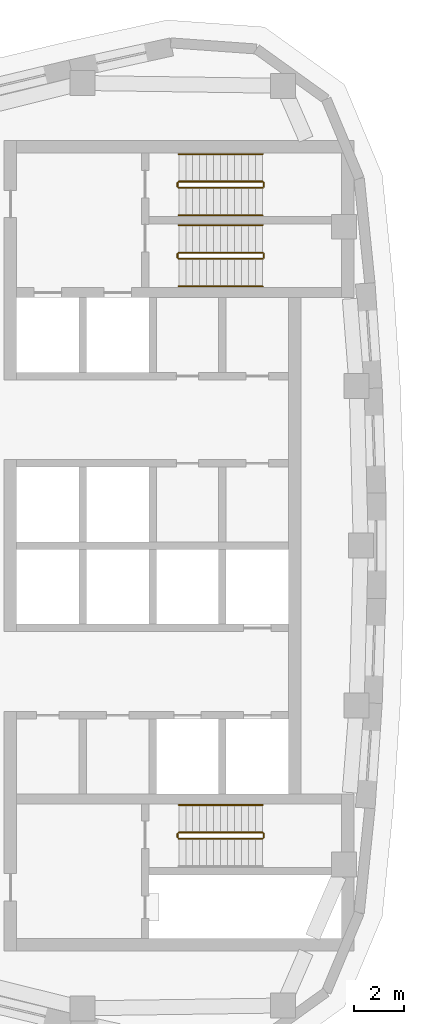
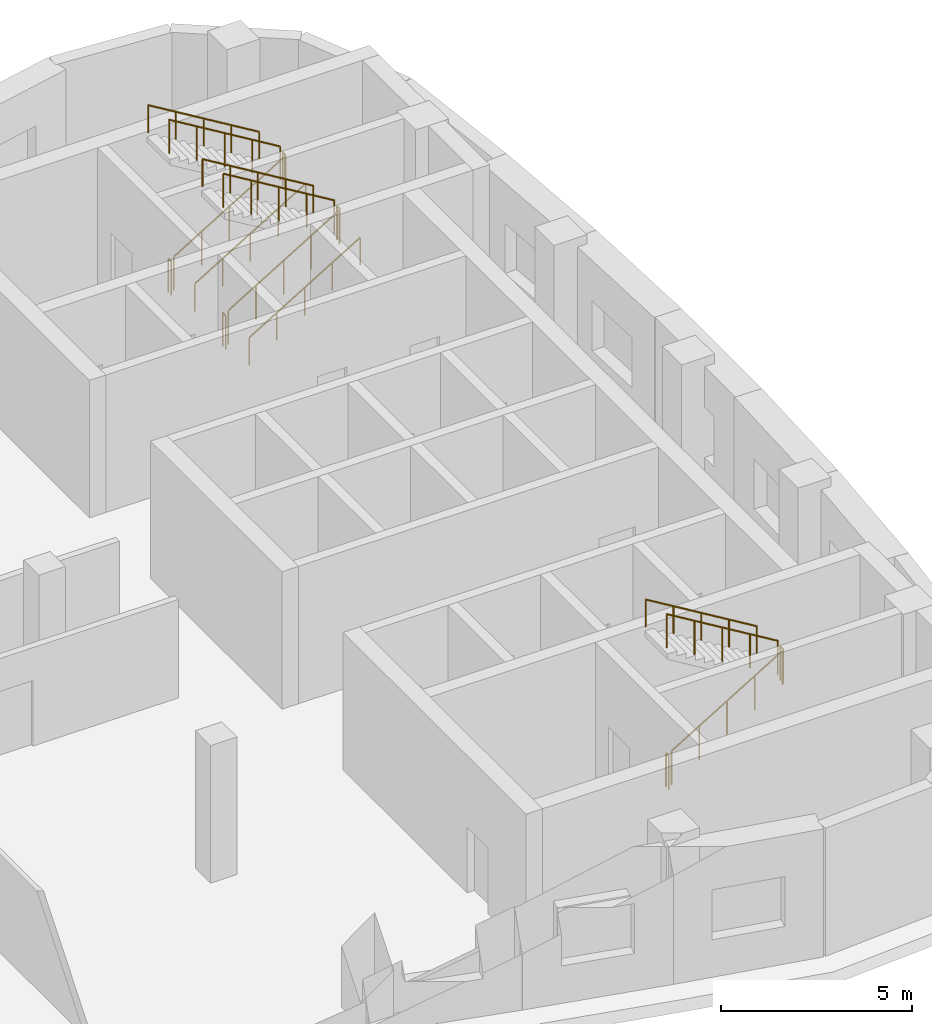
# One storey, part 6 of 7: 17 railings.
"""IFC4 building model written with IfcOpenShell, lengths in metres."""

from ifc_helpers import new_model, si_unit, direction, frame, origin, origin_2d, place, context, subcontext, project, spatial, circle, extrude, material, type_object, element, save


model = new_model("IFC4")

# Units and contexts
model_context = context("Model", 3, precision=1e-05, world=origin(), true_north=direction((0.0, 1.0)))
body_context = subcontext(model_context, "Body", "Model", "MODEL_VIEW")
ifc_project = project(units=[si_unit("LENGTHUNIT", "METRE"), si_unit("AREAUNIT", "SQUARE_METRE"), si_unit("VOLUMEUNIT", "CUBIC_METRE"), si_unit("PLANEANGLEUNIT", "RADIAN"), si_unit("MASSUNIT", "GRAM", prefix="KILO")], contexts=[model_context])

# Site, building, storey
site_placement = place(None, origin())
site = spatial("IfcSite", under=ifc_project, at=site_placement, CompositionType="ELEMENT")
building_placement = place(site_placement, origin())
building = spatial("IfcBuilding", under=site, at=building_placement, Name="Ostrand Prow Hotel Tower", CompositionType="ELEMENT")
storey_placement = place(building_placement, frame((0.0, 0.0, 323.0)))
storey = spatial("IfcBuildingStorey", under=building, at=storey_placement, Name="C4", CompositionType="ELEMENT", Elevation=323.0)

# Railings
ifc_material_1 = material(Name="Painted steel", Category="steel")
railing_type_1 = type_object("IfcRailingType", Name="Stair guard 1100", PredefinedType="GUARDRAIL", material=ifc_material_1)
railing_1_placement = place(storey_placement, frame((57.199951171875, 11.5, 0.169189453125)))
element("IfcRailing", 1, at=railing_1_placement, inside=storey, type_object=railing_type_1, Name="C4 ST1C stair guard 1", PredefinedType="GUARDRAIL", context=body_context, shape_type="SweptSolid", body=[
    extrude(circle(Radius=0.02392578125, at=origin_2d()), frame((0.0, 0.0, 1.076171875), z_axis=(0.855836976705, 0.0, 0.517245656632), x_axis=(0.0, 1.0, 0.0)), (0.0, 0.0, 1.0), 3.926025390625),
    extrude(circle(Radius=0.02099609375, at=origin_2d()), origin(), (0.0, 0.0, 1.0), 1.052001953125),
    extrude(circle(Radius=0.02099609375, at=origin_2d()), frame((0.840087890625, 0.0, 0.5078125)), (0.0, 0.0, 1.0), 1.052001953125),
    extrude(circle(Radius=0.02099609375, at=origin_2d()), frame((1.68017578125, 0.0, 1.015380859375)), (0.0, 0.0, 1.0), 1.052001953125),
    extrude(circle(Radius=0.02099609375, at=origin_2d()), frame((2.52001953125, 0.0, 1.52294921875)), (0.0, 0.0, 1.0), 1.052001953125),
    extrude(circle(Radius=0.02099609375, at=origin_2d()), frame((3.360107421875, 0.0, 2.03076171875)), (0.0, 0.0, 1.0), 1.052001953125),
])
railing_2_placement = place(storey_placement, frame((60.610107421875, 11.550048828125, 2.199951171875)))
element("IfcRailing", 2, at=railing_2_placement, inside=storey, type_object=railing_type_1, Name="C4 ST1C stair guard 2", PredefinedType="GUARDRAIL", context=body_context, shape_type="SweptSolid", body=[
    extrude(circle(Radius=0.02392578125, at=origin_2d()), frame((0.0, 0.0, 1.076171875), z_axis=(0.0, 1.0, 0.0), x_axis=(-1.0, 0.0, 0.0)), (0.0, 0.0, 1.0), 0.14990234375),
    extrude(circle(Radius=0.02099609375, at=origin_2d()), origin(), (0.0, 0.0, 1.0), 1.052001953125),
    extrude(circle(Radius=0.02099609375, at=origin_2d()), frame((0.0, 0.14990234375, 0.0)), (0.0, 0.0, 1.0), 1.052001953125),
])
railing_3_placement = place(storey_placement, frame((60.56005859375, 11.75, 2.369140625)))
element("IfcRailing", 3, at=railing_3_placement, inside=storey, type_object=railing_type_1, Name="C4 ST1C stair guard 3", PredefinedType="GUARDRAIL", context=body_context, shape_type="SweptSolid", body=[
    extrude(circle(Radius=0.02392578125, at=origin_2d()), frame((0.0, 0.0, 1.076171875), z_axis=(-0.855836976705, 0.0, 0.517245656632), x_axis=(0.0, -1.0, 0.0)), (0.0, 0.0, 1.0), 3.926025390625),
    extrude(circle(Radius=0.02099609375, at=origin_2d()), origin(), (0.0, 0.0, 1.0), 1.052001953125),
    extrude(circle(Radius=0.02099609375, at=origin_2d()), frame((-0.840087890625, 0.0, 0.5078125)), (0.0, 0.0, 1.0), 1.052001953125),
    extrude(circle(Radius=0.02099609375, at=origin_2d()), frame((-1.68017578125, 0.0, 1.015380859375)), (0.0, 0.0, 1.0), 1.052001953125),
    extrude(circle(Radius=0.02099609375, at=origin_2d()), frame((-2.52001953125, 0.0, 1.52294921875)), (0.0, 0.0, 1.0), 1.052001953125),
    extrude(circle(Radius=0.02099609375, at=origin_2d()), frame((-3.360107421875, 0.0, 2.03076171875)), (0.0, 0.0, 1.0), 1.052001953125),
])
railing_4_placement = place(storey_placement, frame((57.14990234375, 11.550048828125, 0.0)))
element("IfcRailing", 4, at=railing_4_placement, inside=storey, type_object=railing_type_1, Name="C4 ST1C stair guard 4", PredefinedType="GUARDRAIL", context=body_context, shape_type="SweptSolid", body=[
    extrude(circle(Radius=0.02392578125, at=origin_2d()), frame((0.0, 0.0, 1.076171875), z_axis=(0.0, 1.0, 0.0), x_axis=(-1.0, 0.0, 0.0)), (0.0, 0.0, 1.0), 0.14990234375),
    extrude(circle(Radius=0.02099609375, at=origin_2d()), origin(), (0.0, 0.0, 1.0), 1.052001953125),
    extrude(circle(Radius=0.02099609375, at=origin_2d()), frame((0.0, 0.14990234375, 0.0)), (0.0, 0.0, 1.0), 1.052001953125),
])
railing_5_placement = place(storey_placement, frame((57.199951171875, 14.35009765625, 0.169189453125)))
element("IfcRailing", 5, at=railing_5_placement, inside=storey, type_object=railing_type_1, Name="C4 ST3C stair guard 1", PredefinedType="GUARDRAIL", context=body_context, shape_type="SweptSolid", body=[
    extrude(circle(Radius=0.02392578125, at=origin_2d()), frame((0.0, 0.0, 1.076171875), z_axis=(0.855836976705, 0.0, 0.517245656632), x_axis=(0.0, 1.0, 0.0)), (0.0, 0.0, 1.0), 3.926025390625),
    extrude(circle(Radius=0.02099609375, at=origin_2d()), origin(), (0.0, 0.0, 1.0), 1.052001953125),
    extrude(circle(Radius=0.02099609375, at=origin_2d()), frame((0.840087890625, 0.0, 0.5078125)), (0.0, 0.0, 1.0), 1.052001953125),
    extrude(circle(Radius=0.02099609375, at=origin_2d()), frame((1.68017578125, 0.0, 1.015380859375)), (0.0, 0.0, 1.0), 1.052001953125),
    extrude(circle(Radius=0.02099609375, at=origin_2d()), frame((2.52001953125, 0.0, 1.52294921875)), (0.0, 0.0, 1.0), 1.052001953125),
    extrude(circle(Radius=0.02099609375, at=origin_2d()), frame((3.360107421875, 0.0, 2.03076171875)), (0.0, 0.0, 1.0), 1.052001953125),
])
railing_6_placement = place(storey_placement, frame((60.610107421875, 14.39990234375, 2.199951171875)))
element("IfcRailing", 6, at=railing_6_placement, inside=storey, type_object=railing_type_1, Name="C4 ST3C stair guard 2", PredefinedType="GUARDRAIL", context=body_context, shape_type="SweptSolid", body=[
    extrude(circle(Radius=0.02392578125, at=origin_2d()), frame((0.0, 0.0, 1.076171875), z_axis=(0.0, 1.0, 0.0), x_axis=(-1.0, 0.0, 0.0)), (0.0, 0.0, 1.0), 0.150146484375),
    extrude(circle(Radius=0.02099609375, at=origin_2d()), origin(), (0.0, 0.0, 1.0), 1.052001953125),
    extrude(circle(Radius=0.02099609375, at=origin_2d()), frame((0.0, 0.150146484375, 0.0)), (0.0, 0.0, 1.0), 1.052001953125),
])
railing_7_placement = place(storey_placement, frame((60.56005859375, 14.60009765625, 2.369140625)))
element("IfcRailing", 7, at=railing_7_placement, inside=storey, type_object=railing_type_1, Name="C4 ST3C stair guard 3", PredefinedType="GUARDRAIL", context=body_context, shape_type="SweptSolid", body=[
    extrude(circle(Radius=0.02392578125, at=origin_2d()), frame((0.0, 0.0, 1.076171875), z_axis=(-0.855836976705, 0.0, 0.517245656632), x_axis=(0.0, -1.0, 0.0)), (0.0, 0.0, 1.0), 3.926025390625),
    extrude(circle(Radius=0.02099609375, at=origin_2d()), origin(), (0.0, 0.0, 1.0), 1.052001953125),
    extrude(circle(Radius=0.02099609375, at=origin_2d()), frame((-0.840087890625, 0.0, 0.5078125)), (0.0, 0.0, 1.0), 1.052001953125),
    extrude(circle(Radius=0.02099609375, at=origin_2d()), frame((-1.68017578125, 0.0, 1.015380859375)), (0.0, 0.0, 1.0), 1.052001953125),
    extrude(circle(Radius=0.02099609375, at=origin_2d()), frame((-2.52001953125, 0.0, 1.52294921875)), (0.0, 0.0, 1.0), 1.052001953125),
    extrude(circle(Radius=0.02099609375, at=origin_2d()), frame((-3.360107421875, 0.0, 2.03076171875)), (0.0, 0.0, 1.0), 1.052001953125),
])
railing_8_placement = place(storey_placement, frame((57.14990234375, 14.39990234375, 0.0)))
element("IfcRailing", 8, at=railing_8_placement, inside=storey, type_object=railing_type_1, Name="C4 ST3C stair guard 4", PredefinedType="GUARDRAIL", context=body_context, shape_type="SweptSolid", body=[
    extrude(circle(Radius=0.02392578125, at=origin_2d()), frame((0.0, 0.0, 1.076171875), z_axis=(0.0, 1.0, 0.0), x_axis=(-1.0, 0.0, 0.0)), (0.0, 0.0, 1.0), 0.150146484375),
    extrude(circle(Radius=0.02099609375, at=origin_2d()), origin(), (0.0, 0.0, 1.0), 1.052001953125),
    extrude(circle(Radius=0.02099609375, at=origin_2d()), frame((0.0, 0.150146484375, 0.0)), (0.0, 0.0, 1.0), 1.052001953125),
])
railing_9_placement = place(storey_placement, frame((57.199951171875, -11.75, 0.169189453125)))
element("IfcRailing", 9, at=railing_9_placement, inside=storey, type_object=railing_type_1, Name="C4 ST2C stair guard 1", PredefinedType="GUARDRAIL", context=body_context, shape_type="SweptSolid", body=[
    extrude(circle(Radius=0.02392578125, at=origin_2d()), frame((0.0, 0.0, 1.076171875), z_axis=(0.855836976705, 0.0, 0.517245656632), x_axis=(0.0, 1.0, 0.0)), (0.0, 0.0, 1.0), 3.926025390625),
    extrude(circle(Radius=0.02099609375, at=origin_2d()), origin(), (0.0, 0.0, 1.0), 1.052001953125),
    extrude(circle(Radius=0.02099609375, at=origin_2d()), frame((0.840087890625, 0.0, 0.5078125)), (0.0, 0.0, 1.0), 1.052001953125),
    extrude(circle(Radius=0.02099609375, at=origin_2d()), frame((1.68017578125, 0.0, 1.015380859375)), (0.0, 0.0, 1.0), 1.052001953125),
    extrude(circle(Radius=0.02099609375, at=origin_2d()), frame((2.52001953125, 0.0, 1.52294921875)), (0.0, 0.0, 1.0), 1.052001953125),
    extrude(circle(Radius=0.02099609375, at=origin_2d()), frame((3.360107421875, 0.0, 2.03076171875)), (0.0, 0.0, 1.0), 1.052001953125),
])
railing_10_placement = place(storey_placement, frame((60.610107421875, -11.699951171875, 2.199951171875)))
element("IfcRailing", 10, at=railing_10_placement, inside=storey, type_object=railing_type_1, Name="C4 ST2C stair guard 2", PredefinedType="GUARDRAIL", context=body_context, shape_type="SweptSolid", body=[
    extrude(circle(Radius=0.02392578125, at=origin_2d()), frame((0.0, 0.0, 1.076171875), z_axis=(0.0, 1.0, 0.0), x_axis=(-1.0, 0.0, 0.0)), (0.0, 0.0, 1.0), 0.14990234375),
    extrude(circle(Radius=0.02099609375, at=origin_2d()), origin(), (0.0, 0.0, 1.0), 1.052001953125),
    extrude(circle(Radius=0.02099609375, at=origin_2d()), frame((0.0, 0.14990234375, 0.0)), (0.0, 0.0, 1.0), 1.052001953125),
])
railing_11_placement = place(storey_placement, frame((60.56005859375, -11.5, 2.369140625)))
element("IfcRailing", 11, at=railing_11_placement, inside=storey, type_object=railing_type_1, Name="C4 ST2C stair guard 3", PredefinedType="GUARDRAIL", context=body_context, shape_type="SweptSolid", body=[
    extrude(circle(Radius=0.02392578125, at=origin_2d()), frame((0.0, 0.0, 1.076171875), z_axis=(-0.855836976705, 0.0, 0.517245656632), x_axis=(0.0, -1.0, 0.0)), (0.0, 0.0, 1.0), 3.926025390625),
    extrude(circle(Radius=0.02099609375, at=origin_2d()), origin(), (0.0, 0.0, 1.0), 1.052001953125),
    extrude(circle(Radius=0.02099609375, at=origin_2d()), frame((-0.840087890625, 0.0, 0.5078125)), (0.0, 0.0, 1.0), 1.052001953125),
    extrude(circle(Radius=0.02099609375, at=origin_2d()), frame((-1.68017578125, 0.0, 1.015380859375)), (0.0, 0.0, 1.0), 1.052001953125),
    extrude(circle(Radius=0.02099609375, at=origin_2d()), frame((-2.52001953125, 0.0, 1.52294921875)), (0.0, 0.0, 1.0), 1.052001953125),
    extrude(circle(Radius=0.02099609375, at=origin_2d()), frame((-3.360107421875, 0.0, 2.03076171875)), (0.0, 0.0, 1.0), 1.052001953125),
])
railing_12_placement = place(storey_placement, frame((57.14990234375, -11.699951171875, 0.0)))
element("IfcRailing", 12, at=railing_12_placement, inside=storey, type_object=railing_type_1, Name="C4 ST2C stair guard 4", PredefinedType="GUARDRAIL", context=body_context, shape_type="SweptSolid", body=[
    extrude(circle(Radius=0.02392578125, at=origin_2d()), frame((0.0, 0.0, 1.076171875), z_axis=(0.0, 1.0, 0.0), x_axis=(-1.0, 0.0, 0.0)), (0.0, 0.0, 1.0), 0.14990234375),
    extrude(circle(Radius=0.02099609375, at=origin_2d()), origin(), (0.0, 0.0, 1.0), 1.052001953125),
    extrude(circle(Radius=0.02099609375, at=origin_2d()), frame((0.0, 0.14990234375, 0.0)), (0.0, 0.0, 1.0), 1.052001953125),
])
ifc_material_2 = material(Name="Stainless steel", Category="steel")
railing_type_2 = type_object("IfcRailingType", Name="Stair handrail 900", PredefinedType="HANDRAIL", material=ifc_material_2)
railing_13_placement = place(storey_placement, frame((57.199951171875, 10.39990234375, 0.169189453125)))
element("IfcRailing", 13, at=railing_13_placement, inside=storey, type_object=railing_type_2, Name="C4 ST1C stair handrail 1", PredefinedType="HANDRAIL", context=body_context, shape_type="SweptSolid", body=[
    extrude(circle(Radius=0.02392578125, at=origin_2d()), frame((0.0, 0.0, 0.8759765625), z_axis=(0.855836976705, 0.0, 0.517245656632), x_axis=(0.0, 1.0, 0.0)), (0.0, 0.0, 1.0), 3.926025390625),
    extrude(circle(Radius=0.02099609375, at=origin_2d()), origin(), (0.0, 0.0, 1.0), 0.851806640625),
    extrude(circle(Radius=0.02099609375, at=origin_2d()), frame((0.840087890625, 0.0, 0.5078125)), (0.0, 0.0, 1.0), 0.851806640625),
    extrude(circle(Radius=0.02099609375, at=origin_2d()), frame((1.68017578125, 0.0, 1.015380859375)), (0.0, 0.0, 1.0), 0.851806640625),
    extrude(circle(Radius=0.02099609375, at=origin_2d()), frame((2.52001953125, 0.0, 1.52294921875)), (0.0, 0.0, 1.0), 0.851806640625),
    extrude(circle(Radius=0.02099609375, at=origin_2d()), frame((3.360107421875, 0.0, 2.03076171875)), (0.0, 0.0, 1.0), 0.851806640625),
])
railing_14_placement = place(storey_placement, frame((60.56005859375, 12.85009765625, 2.369140625)))
element("IfcRailing", 14, at=railing_14_placement, inside=storey, type_object=railing_type_2, Name="C4 ST1C stair handrail 2", PredefinedType="HANDRAIL", context=body_context, shape_type="SweptSolid", body=[
    extrude(circle(Radius=0.02392578125, at=origin_2d()), frame((0.0, 0.0, 0.8759765625), z_axis=(-0.855836976705, 0.0, 0.517245656632), x_axis=(0.0, -1.0, 0.0)), (0.0, 0.0, 1.0), 3.926025390625),
    extrude(circle(Radius=0.02099609375, at=origin_2d()), origin(), (0.0, 0.0, 1.0), 0.851806640625),
    extrude(circle(Radius=0.02099609375, at=origin_2d()), frame((-0.840087890625, 0.0, 0.5078125)), (0.0, 0.0, 1.0), 0.851806640625),
    extrude(circle(Radius=0.02099609375, at=origin_2d()), frame((-1.68017578125, 0.0, 1.015380859375)), (0.0, 0.0, 1.0), 0.851806640625),
    extrude(circle(Radius=0.02099609375, at=origin_2d()), frame((-2.52001953125, 0.0, 1.52294921875)), (0.0, 0.0, 1.0), 0.851806640625),
    extrude(circle(Radius=0.02099609375, at=origin_2d()), frame((-3.360107421875, 0.0, 2.03076171875)), (0.0, 0.0, 1.0), 0.851806640625),
])
railing_15_placement = place(storey_placement, frame((57.199951171875, 13.25, 0.169189453125)))
element("IfcRailing", 15, at=railing_15_placement, inside=storey, type_object=railing_type_2, Name="C4 ST3C stair handrail 1", PredefinedType="HANDRAIL", context=body_context, shape_type="SweptSolid", body=[
    extrude(circle(Radius=0.02392578125, at=origin_2d()), frame((0.0, 0.0, 0.8759765625), z_axis=(0.855836976705, 0.0, 0.517245656632), x_axis=(0.0, 1.0, 0.0)), (0.0, 0.0, 1.0), 3.926025390625),
    extrude(circle(Radius=0.02099609375, at=origin_2d()), origin(), (0.0, 0.0, 1.0), 0.851806640625),
    extrude(circle(Radius=0.02099609375, at=origin_2d()), frame((0.840087890625, 0.0, 0.5078125)), (0.0, 0.0, 1.0), 0.851806640625),
    extrude(circle(Radius=0.02099609375, at=origin_2d()), frame((1.68017578125, 0.0, 1.015380859375)), (0.0, 0.0, 1.0), 0.851806640625),
    extrude(circle(Radius=0.02099609375, at=origin_2d()), frame((2.52001953125, 0.0, 1.52294921875)), (0.0, 0.0, 1.0), 0.851806640625),
    extrude(circle(Radius=0.02099609375, at=origin_2d()), frame((3.360107421875, 0.0, 2.03076171875)), (0.0, 0.0, 1.0), 0.851806640625),
])
for number, where, name in (
    (16, (60.56005859375, 15.699951171875, 2.369140625), "C4 ST3C stair handrail 2"),
    (17, (60.56005859375, -10.39990234375, 2.369140625), "C4 ST2C stair handrail 2"),
):
    element("IfcRailing", number, at=place(storey_placement, frame(where)), inside=storey, type_object=railing_type_2, Name=name, PredefinedType="HANDRAIL", context=body_context, shape_type="SweptSolid", body=[
        extrude(circle(Radius=0.02392578125, at=origin_2d()), frame((0.0, 0.0, 0.8759765625), z_axis=(-0.855836976705, 0.0, 0.517245656632), x_axis=(0.0, -1.0, 0.0)), (0.0, 0.0, 1.0), 3.926025390625),
        extrude(circle(Radius=0.02099609375, at=origin_2d()), origin(), (0.0, 0.0, 1.0), 0.851806640625),
        extrude(circle(Radius=0.02099609375, at=origin_2d()), frame((-0.840087890625, 0.0, 0.5078125)), (0.0, 0.0, 1.0), 0.851806640625),
        extrude(circle(Radius=0.02099609375, at=origin_2d()), frame((-1.68017578125, 0.0, 1.015380859375)), (0.0, 0.0, 1.0), 0.851806640625),
        extrude(circle(Radius=0.02099609375, at=origin_2d()), frame((-2.52001953125, 0.0, 1.52294921875)), (0.0, 0.0, 1.0), 0.851806640625),
        extrude(circle(Radius=0.02099609375, at=origin_2d()), frame((-3.360107421875, 0.0, 2.03076171875)), (0.0, 0.0, 1.0), 0.851806640625),
    ])

save(model, "model.ifc")
